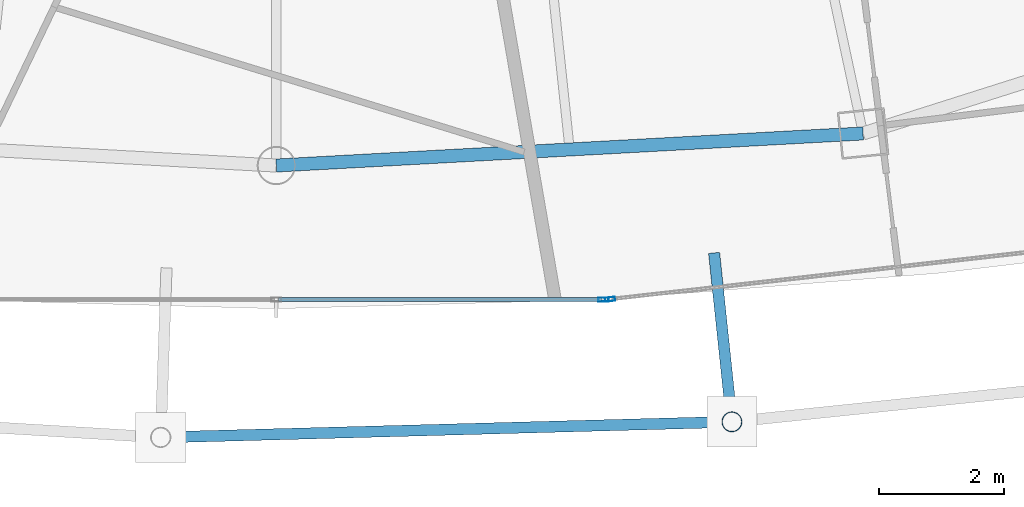
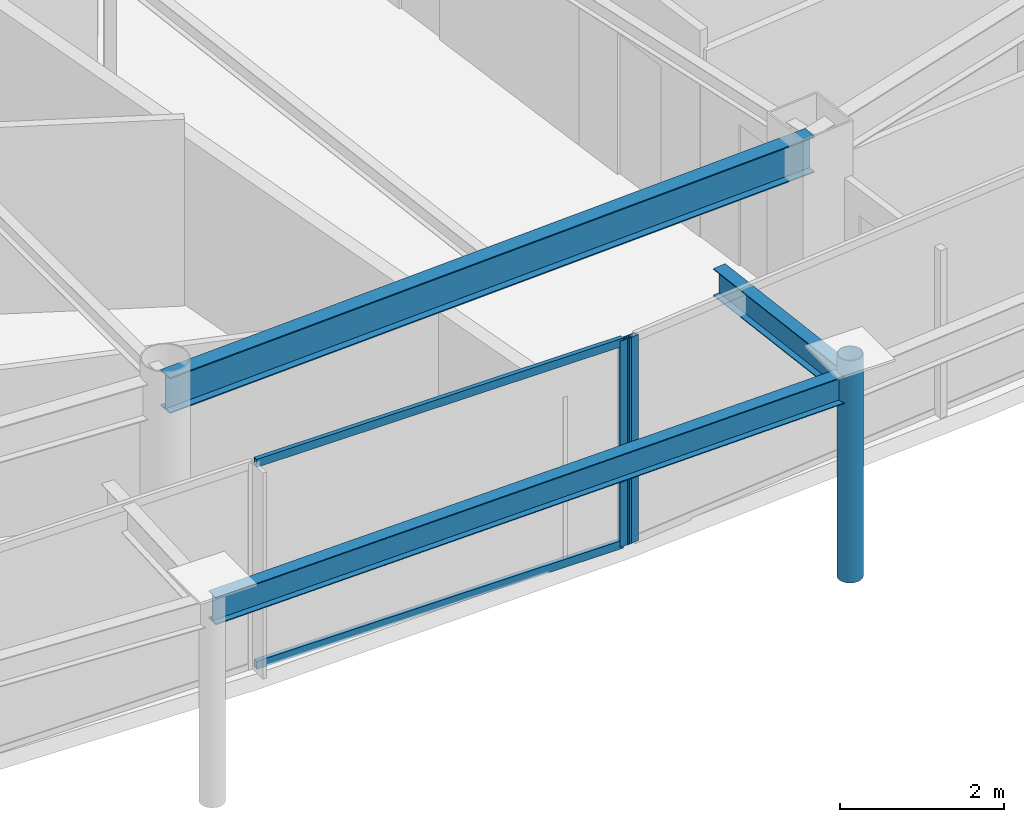
# One storey, part 9 of 33: 5 members, 3 beams, 2 elements without a shape of their own.
"""IFC4 building model written with IfcOpenShell, lengths in metres."""

from ifc_helpers import new_model, si_unit, direction, frame, origin, origin_2d, place, context, subcontext, project, spatial, hollow_rectangle, hollow_circle, i_section, extrude, material, layer, layer_set, material_profile, profile_set, type_object, element, aggregate, save


model = new_model("IFC4")

# Units and contexts
model_context = context("Model", 3, precision=1e-05, world=origin(), true_north=direction((0.0, 1.0)))
body_context = subcontext(model_context, "Body", "Model", "MODEL_VIEW")
ifc_project = project(units=[si_unit("LENGTHUNIT", "METRE"), si_unit("AREAUNIT", "SQUARE_METRE"), si_unit("VOLUMEUNIT", "CUBIC_METRE"), si_unit("PLANEANGLEUNIT", "RADIAN"), si_unit("MASSUNIT", "GRAM", prefix="KILO")], contexts=[model_context])

# Site, building, storey
site_placement = place(None, origin())
site = spatial("IfcSite", under=ifc_project, at=site_placement, CompositionType="ELEMENT")
building_placement = place(site_placement, origin())
building = spatial("IfcBuilding", under=site, at=building_placement, Name="Orvanel Arch Residences", CompositionType="ELEMENT")
storey_placement = place(building_placement, frame((0.0, 0.0, 212.89990234375)))
storey = spatial("IfcBuildingStorey", under=building, at=storey_placement, Name="L60", CompositionType="ELEMENT", Elevation=212.89990234375)

# Curtain wall, member
ifc_material_1 = material(Name="Bronze-anodised aluminium AA6063-T6", Category="aluminium")
ifc_layer = layer(ifc_material_1, 0.175048828125)
ifc_layer_set = layer_set([ifc_layer], Name="Bronze-anodised aluminium AA6063-T6")
curtain_wall_type = type_object("IfcCurtainWallType", Name="CW4-HI-SYS", PredefinedType="NOTDEFINED", material=ifc_layer_set)
curtain_wall_1_placement = place(storey_placement, origin())
curtain_wall_1 = element("IfcCurtainWall", 1, at=curtain_wall_1_placement, inside=storey, type_object=curtain_wall_type, Name="L60 CW4-HI-SYS Unitised Curtain Wall", PredefinedType="NOTDEFINED")
ifc_material_profile_1 = material_profile(ifc_material_1, hollow_rectangle(XDim=0.06494140625, YDim=0.159912109375, WallThickness=0.00390625, at=origin_2d()), Name="ALU160x65x4")
ifc_profile_set_1 = profile_set([ifc_material_profile_1], Name="Bronze-anodised aluminium AA6063-T6")
member_type_1 = type_object("IfcMemberType", Name="MUL-160x65", PredefinedType="MULLION", material=ifc_profile_set_1)
member_1_placement = place(storey_placement, frame((38.214599609375, 4.70703125, 0.0), z_axis=(0.0, 0.0, 1.0), x_axis=(0.0, 1.0, 0.0)))
member_1 = element("IfcMember", 2, at=member_1_placement, type_object=member_type_1, Name="CW-S4 mullion 3", PredefinedType="MULLION", context=body_context, shape_type="SweptSolid", body=[
    extrude(hollow_rectangle(XDim=0.06494140625, YDim=0.159912109375, WallThickness=0.00390625, at=origin_2d()), origin(), (0.0, 0.0, 1.0), 3.06005859375),
])

curtain_wall_2_placement = place(storey_placement, origin())
curtain_wall_2 = element("IfcCurtainWall", 3, at=curtain_wall_2_placement, inside=storey, type_object=curtain_wall_type, Name="L60 CW4-HI-SYS Unitised Curtain Wall", PredefinedType="NOTDEFINED")
member_2_placement = place(storey_placement, frame((38.3193359375, 4.712646484375, 0.0), z_axis=(0.0, 0.0, 1.0), x_axis=(-0.11203680669, 0.993704057528, 0.0)))
member_2 = element("IfcMember", 4, at=member_2_placement, type_object=member_type_1, Name="CW-S4 mullion 1", PredefinedType="MULLION", context=body_context, shape_type="SweptSolid", body=[
    extrude(hollow_rectangle(XDim=0.06494140625, YDim=0.159912109375, WallThickness=0.00390625, at=origin_2d()), origin(), (0.0, 0.0, 1.0), 3.06005859375),
])
aggregate(curtain_wall_2, [member_2])

# Beams
ifc_material_2 = material(Name="Structural steel AS/NZS 3679.1 Grade 300 (300 MPa)", Category="steel")
ifc_material_profile_2 = material_profile(ifc_material_2, i_section(OverallWidth=0.177978515625, OverallDepth=0.406005859375, WebThickness=0.0078125, FlangeThickness=0.0126953125, at=origin_2d()), Name="410UB59.7")
ifc_profile_set_2 = profile_set([ifc_material_profile_2], Name="Structural steel AS/NZS 3679.1 Grade 300 (300 MPa)")
beam_type_1 = type_object("IfcBeamType", Name="OB-410UB-EXT", PredefinedType="SPANDREL", material=ifc_profile_set_2)
beam_1_placement = place(storey_placement, frame((31.157958984375, 2.510986328125, 2.857177734375), z_axis=(0.999628957152, 0.027238722858, 0.0), x_axis=(-0.027238722858, 0.999628957152, 0.0)))
element("IfcBeam", 5, at=beam_1_placement, inside=storey, type_object=beam_type_1, Name="L60 Outer Perimeter Floor Ring Beam 06", PredefinedType="SPANDREL", context=body_context, shape_type="SweptSolid", body=[
    extrude(i_section(OverallWidth=0.177978515625, OverallDepth=0.406005859375, WebThickness=0.0078125, FlangeThickness=0.0126953125, at=origin_2d()), origin(), (0.0, 0.0, 1.0), 9.1064453125),
])
beam_2_placement = place(storey_placement, frame((39.97705078125, 5.451904296875, 2.857177734375), z_axis=(0.104858437456, -0.994487158335, 0.0), x_axis=(0.994487158335, 0.104858437456, 0.0)))
element("IfcBeam", 6, at=beam_2_placement, inside=storey, type_object=beam_type_1, Name="L60 Outer Frame Radial Tie Beam 07", PredefinedType="SPANDREL", context=body_context, shape_type="SweptSolid", body=[
    extrude(i_section(OverallWidth=0.177978515625, OverallDepth=0.406005859375, WebThickness=0.0078125, FlangeThickness=0.0126953125, at=origin_2d()), origin(), (0.0, 0.0, 1.0), 2.707763671875),
])
ifc_material_profile_3 = material_profile(ifc_material_2, i_section(OverallWidth=0.208984375, OverallDepth=0.532958984375, WebThickness=0.01025390625, FlangeThickness=0.015625, at=origin_2d()), Name="530UB92.4")
ifc_profile_set_3 = profile_set([ifc_material_profile_3], Name="Structural steel AS/NZS 3679.1 Grade 300 (300 MPa)")
beam_type_2 = type_object("IfcBeamType", Name="SP-530UB", PredefinedType="SPANDREL", material=ifc_profile_set_3)
beam_3_placement = place(storey_placement, frame((33.0, 6.843994140625, 2.794189453125), z_axis=(0.998510315598, 0.054563262768, 0.0), x_axis=(-0.054563262768, 0.998510315598, 0.0)))
element("IfcBeam", 7, at=beam_3_placement, inside=storey, type_object=beam_type_2, Name="L60 Perimeter Spandrel Beam 04", PredefinedType="SPANDREL", context=body_context, shape_type="SweptSolid", body=[
    extrude(i_section(OverallWidth=0.208984375, OverallDepth=0.532958984375, WebThickness=0.01025390625, FlangeThickness=0.015625, at=origin_2d()), origin(), (0.0, 0.0, 1.0), 9.364990234375),
])

# Member
ifc_material_3 = material(Name="Structural steel AS/NZS 1163 C350L0 (Grade 350)", Category="steel")
ifc_material_profile_4 = material_profile(ifc_material_3, hollow_circle(Radius=0.162109375, WallThickness=0.0126953125, at=origin_2d()), Name="CHS324x12.7")
ifc_profile_set_4 = profile_set([ifc_material_profile_4], Name="Structural steel AS/NZS 1163 C350L0 (Grade 350)")
member_type_2 = type_object("IfcMemberType", Name="ST-324CHS-EXT", PredefinedType="STRUT", material=ifc_profile_set_4)
member_3_placement = place(storey_placement, frame((40.260986328125, 2.759033203125, 0.0), z_axis=(0.0, 0.0, 1.0), x_axis=(1.0, 0.0, 0.0)))
element("IfcMember", 8, at=member_3_placement, inside=storey, type_object=member_type_2, Name="L60 Outer Perimeter Frame Post 07", PredefinedType="STRUT", context=body_context, shape_type="SweptSolid", body=[
    extrude(hollow_circle(Radius=0.162109375, WallThickness=0.0126953125, at=origin_2d()), origin(), (0.0, 0.0, 1.0), 3.300048828125),
])

ifc_material_profile_5 = material_profile(ifc_material_1, hollow_rectangle(XDim=0.06005859375, YDim=0.1201171875, WallThickness=0.00341796875, at=origin_2d()), Name="ALU120x60x3.5")
ifc_profile_set_5 = profile_set([ifc_material_profile_5], Name="Bronze-anodised aluminium AA6063-T6")
member_type_3 = type_object("IfcMemberType", Name="TRN-120x60", PredefinedType="USERDEFINED", material=ifc_profile_set_5)
member_4_placement = place(storey_placement, frame((33.032470703125, 4.70703125, 0.030029296875), z_axis=(1.0, 0.0, 0.0), x_axis=(0.0, 1.0, 0.0)))
member_4 = element("IfcMember", 9, at=member_4_placement, type_object=member_type_3, Name="CW-S4 transom 2.1", ObjectType="TRANSOM", PredefinedType="USERDEFINED", context=body_context, shape_type="SweptSolid", body=[
    extrude(hollow_rectangle(XDim=0.06005859375, YDim=0.1201171875, WallThickness=0.00341796875, at=origin_2d()), origin(), (0.0, 0.0, 1.0), 5.1494140625),
])

member_5_placement = place(storey_placement, frame((33.032470703125, 4.70703125, 3.030029296875), z_axis=(1.0, 0.0, 0.0), x_axis=(0.0, 1.0, 0.0)))
member_5 = element("IfcMember", 10, at=member_5_placement, type_object=member_type_3, Name="CW-S4 transom 2.2", ObjectType="TRANSOM", PredefinedType="USERDEFINED", context=body_context, shape_type="SweptSolid", body=[
    extrude(hollow_rectangle(XDim=0.06005859375, YDim=0.1201171875, WallThickness=0.00341796875, at=origin_2d()), origin(), (0.0, 0.0, 1.0), 5.1494140625),
])

aggregate(curtain_wall_1, [member_1, member_4, member_5])

save(model, "model.ifc")
